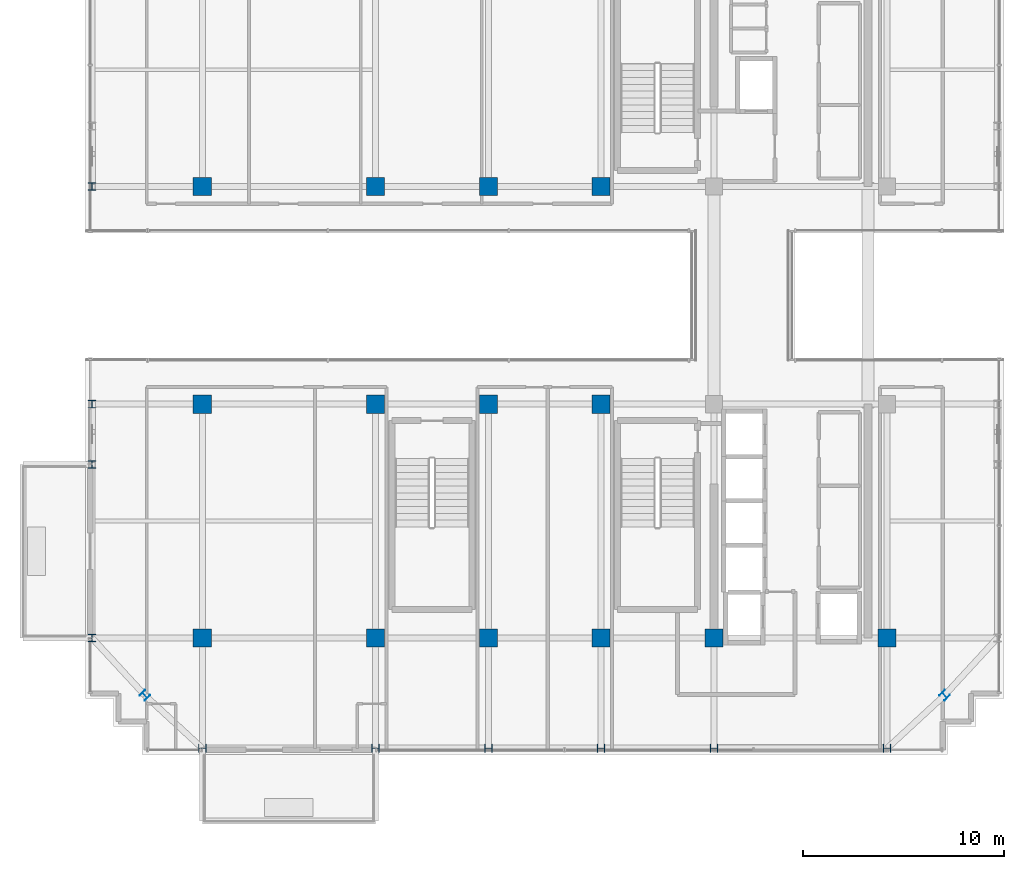
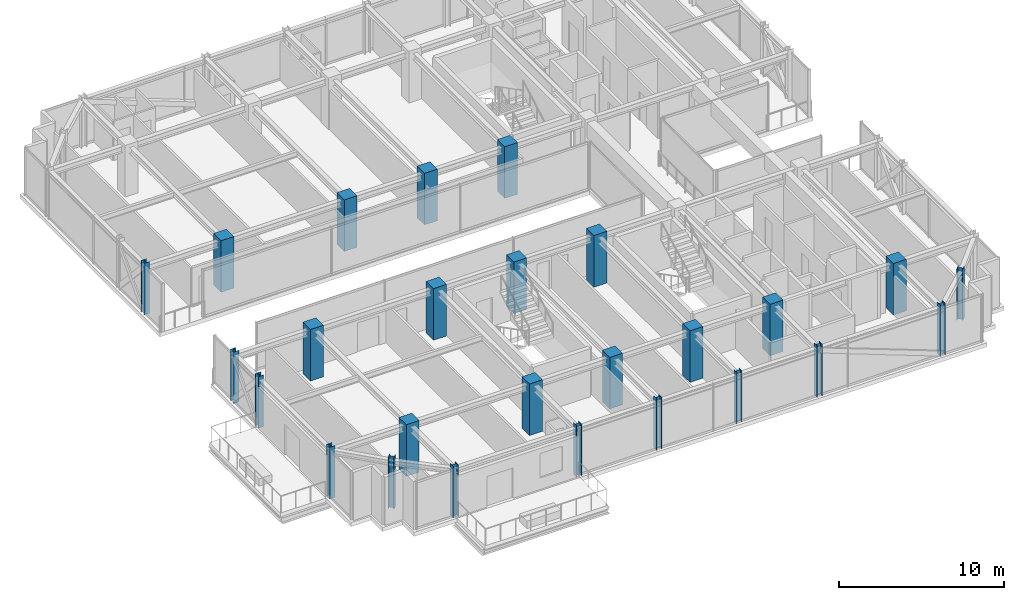
# One storey, part 1 of 37: 26 columns.
"""IFC4 building model written with IfcOpenShell, lengths in metres."""

from ifc_helpers import new_model, si_unit, direction, frame, origin, origin_2d, place, context, subcontext, project, spatial, rectangle, i_section, extrude, source, transform, mapped, material, material_profile, profile_set, type_object, element, save


model = new_model("IFC4")

# Units and contexts
model_context = context("Model", 3, precision=1e-05, world=origin(), true_north=direction((0.0, 1.0)))
body_context = subcontext(model_context, "Body", "Model", "MODEL_VIEW")
ifc_project = project(units=[si_unit("LENGTHUNIT", "METRE"), si_unit("AREAUNIT", "SQUARE_METRE"), si_unit("VOLUMEUNIT", "CUBIC_METRE"), si_unit("PLANEANGLEUNIT", "RADIAN"), si_unit("MASSUNIT", "GRAM", prefix="KILO")], contexts=[model_context])

# Site, building, storey
site_placement = place(None, origin())
site = spatial("IfcSite", under=ifc_project, at=site_placement, CompositionType="ELEMENT")
building_placement = place(site_placement, origin())
building = spatial("IfcBuilding", under=site, at=building_placement, Name="Nahalor Promenade Grand Hotel", CompositionType="ELEMENT")
storey_placement = place(building_placement, frame((0.0, 0.0, 292.64990234375)))
storey = spatial("IfcBuildingStorey", under=building, at=storey_placement, Name="L75", CompositionType="ELEMENT", Elevation=292.64990234375)

# Columns
ifc_material_1 = material(Name="Concrete B-50 (C40/50)", Category="concrete")
ifc_material_profile_1 = material_profile(ifc_material_1, rectangle(XDim=0.9, YDim=0.9, at=origin_2d()), Name="RC 900x900")
ifc_profile_set_1 = profile_set([ifc_material_profile_1], Name="Concrete B-50 (C40/50)")
column_type_1 = type_object("IfcColumnType", Name="Col-RC-900", PredefinedType="COLUMN", material=ifc_profile_set_1)
shared_shape_1 = source(origin(), body_context, "Body", "SweptSolid", [
    extrude(rectangle(XDim=0.9, YDim=0.9, at=origin_2d()), origin(), (0.0, 0.0, 1.0), 3.80517578125),
])
for number, where, z_axis, x_axis, name in (
    (1, (-17.0, -17.0, 0.0), (0.0, 0.0, 1.0), (1.0, 0.0, 0.0), "COL-L75-I00"),
    (2, (-17.0, -5.39990234375, 0.0), (0.0, 0.0, 1.0), (1.0, 0.0, 0.0), "COL-L75-I01"),
    (3, (-17.0, 5.39990234375, 0.0), (0.0, 0.0, 1.0), (1.0, 0.0, 0.0), "COL-L75-I02"),
    (4, (-8.39990234375, -17.0, 0.0), (0.0, 0.0, 1.0), (1.0, 0.0, 0.0), "COL-L75-I10"),
    (5, (-8.39990234375, -5.39990234375, 0.0), (0.0, 0.0, 1.0), (1.0, 0.0, 0.0), "COL-L75-I11"),
    (6, (-8.39990234375, 5.39990234375, 0.0), (0.0, 0.0, 1.0), (1.0, 0.0, 0.0), "COL-L75-I12"),
    (7, (-2.800048828125, -17.0, 0.0), (0.0, 0.0, 1.0), (1.0, 0.0, 0.0), "COL-L75-I20"),
    (8, (-2.800048828125, -5.39990234375, 0.0), (0.0, 0.0, 1.0), (1.0, 0.0, 0.0), "COL-L75-I21"),
    (9, (-2.800048828125, 5.39990234375, 0.0), (0.0, 0.0, 1.0), (1.0, 0.0, 0.0), "COL-L75-I22"),
    (10, (2.800048828125, -17.0, 0.0), (0.0, 0.0, 1.0), (1.0, 0.0, 0.0), "COL-L75-I30"),
    (11, (2.800048828125, -5.39990234375, 0.0), (0.0, 0.0, 1.0), (1.0, 0.0, 0.0), "COL-L75-I31"),
    (12, (2.800048828125, 5.39990234375, 0.0), (0.0, 0.0, 1.0), (1.0, 0.0, 0.0), "COL-L75-I32"),
    (13, (8.39990234375, -17.0, 0.0), (0.0, 0.0, 1.0), (1.0, 0.0, 0.0), "COL-L75-I40"),
    (14, (17.0, -17.0, 0.0), (0.0, 0.0, 1.0), (1.0, 0.0, 0.0), "COL-L75-I50"),
):
    element("IfcColumn", number, at=place(storey_placement, frame(where, z_axis=z_axis, x_axis=x_axis)), inside=storey, type_object=column_type_1, Name=name, PredefinedType="COLUMN", context=body_context, shape_type="MappedRepresentation", body=[
        mapped(shared_shape_1, transform((0.0, 0.0, 0.0), scale=1.0)),
    ])
ifc_material_2 = material(Name="Steel S355JR", Category="steel")
ifc_material_profile_2 = material_profile(ifc_material_2, i_section(OverallWidth=0.374, OverallDepth=0.374, WebThickness=0.0144, FlangeThickness=0.0229, at=origin_2d()), Name="HD 360x262")
ifc_profile_set_2 = profile_set([ifc_material_profile_2], Name="Steel S355JR")
column_type_2 = type_object("IfcColumnType", Name="Col-Steel-HD262", PredefinedType="COLUMN", material=ifc_profile_set_2)
shared_shape_2 = source(origin(), body_context, "Body", "SweptSolid", [
    extrude(i_section(OverallWidth=0.374, OverallDepth=0.374, WebThickness=0.0144, FlangeThickness=0.0229, at=origin_2d()), origin(), (0.0, 0.0, 1.0), 3.80517578125),
])
for number, where, z_axis, x_axis, name in (
    (15, (-22.47998046875, -17.0, 0.0), (0.0, 0.0, 1.0), (1.0, 0.0, 0.0), "COL-L75-PW-W0"),
    (16, (-22.47998046875, -8.39990234375, 0.0), (0.0, 0.0, 1.0), (1.0, 0.0, 0.0), "COL-L75-PW-W1"),
    (17, (-22.47998046875, -5.39990234375, 0.0), (0.0, 0.0, 1.0), (1.0, 0.0, 0.0), "COL-L75-PW-W2"),
    (18, (-22.47998046875, 5.39990234375, 0.0), (0.0, 0.0, 1.0), (1.0, 0.0, 0.0), "COL-L75-PW-W3"),
    (19, (-17.0, -22.47998046875, 0.0), (0.0, 0.0, 1.0), (0.0, 1.0, 0.0), "COL-L75-PN-S0"),
    (20, (-8.39990234375, -22.47998046875, 0.0), (0.0, 0.0, 1.0), (0.0, 1.0, 0.0), "COL-L75-PN-S1"),
    (21, (-2.800048828125, -22.47998046875, 0.0), (0.0, 0.0, 1.0), (0.0, 1.0, 0.0), "COL-L75-PN-S2"),
    (22, (2.800048828125, -22.47998046875, 0.0), (0.0, 0.0, 1.0), (0.0, 1.0, 0.0), "COL-L75-PN-S3"),
    (23, (8.39990234375, -22.47998046875, 0.0), (0.0, 0.0, 1.0), (0.0, 1.0, 0.0), "COL-L75-PN-S4"),
    (24, (17.0, -22.47998046875, 0.0), (0.0, 0.0, 1.0), (0.0, 1.0, 0.0), "COL-L75-PN-S5"),
    (25, (-19.85009765625, -19.85009765625, 0.0), (0.0, 0.0, 1.0), (0.707106781187, 0.707106781187, 0.0), "COL-L75-CRN-SW"),
    (26, (19.85009765625, -19.85009765625, 0.0), (0.0, 0.0, 1.0), (0.707106781187, 0.707106781187, 0.0), "COL-L75-CRN-SE"),
):
    element("IfcColumn", number, at=place(storey_placement, frame(where, z_axis=z_axis, x_axis=x_axis)), inside=storey, type_object=column_type_2, Name=name, PredefinedType="COLUMN", context=body_context, shape_type="MappedRepresentation", body=[
        mapped(shared_shape_2, transform((0.0, 0.0, 0.0), scale=1.0)),
    ])

save(model, "model.ifc")
